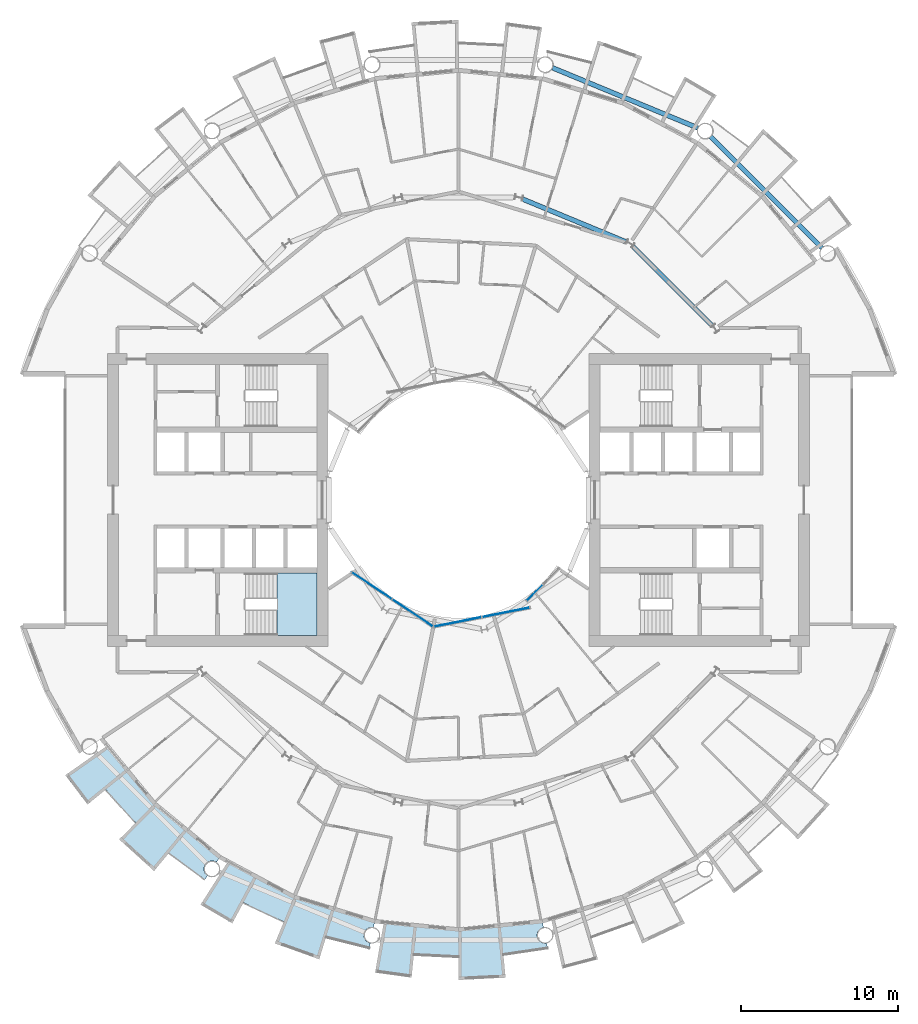
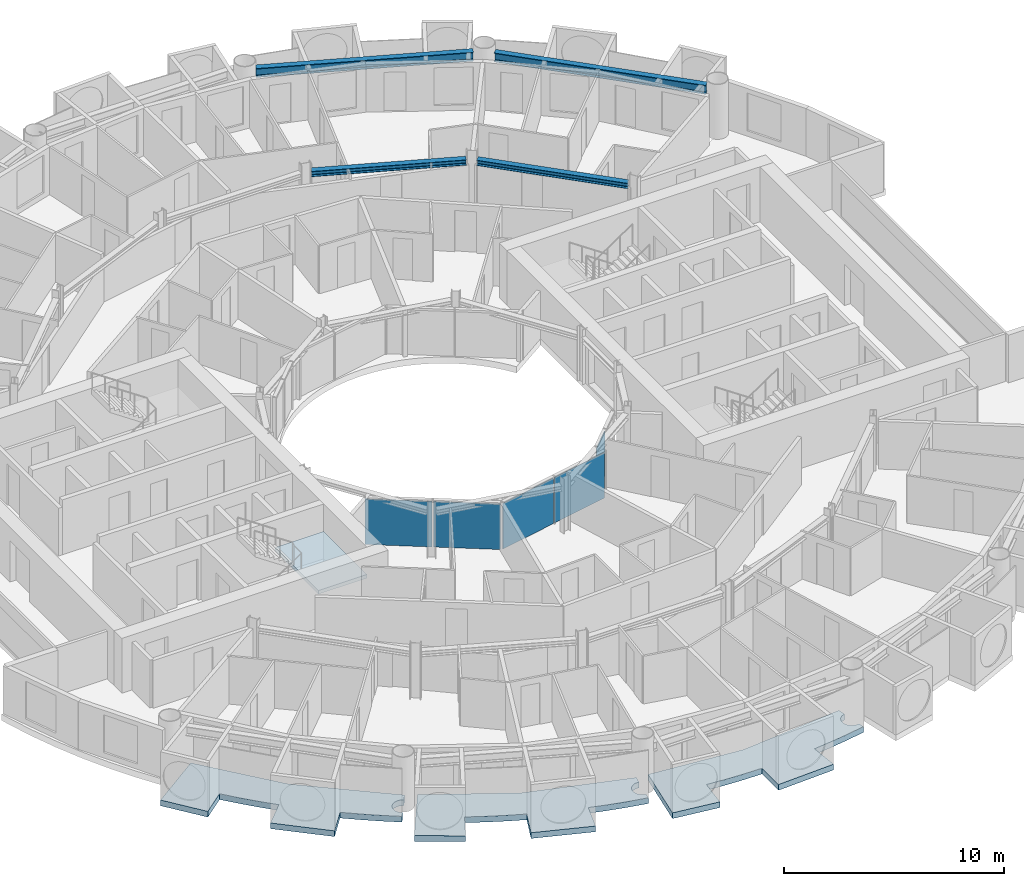
# One storey, part 9 of 25: 5 plates, 4 beams, 4 slabs, 4 elements without a shape of their own.
"""IFC4 building model written with IfcOpenShell, lengths in metres."""

import ifcopenshell
import ifcopenshell.guid

model = None  # the IFC model being written
_history = None  # IfcOwnerHistory: only IFC2X3 demands one
_inside = {}  # id of a spatial element -> (the spatial element, [elements in it])
_under = {}  # id of a project, library or spatial element -> (it, [spatial elements below it])
_declared = {}  # id of a project -> (the project, [libraries it declares])
_typed = {}  # id of a type object -> (the type object, [elements of that type])
_made_of = {}  # id of a material, layer set ... -> (it, [elements and type objects made of it])


def new_model(schema):
    """Start an empty IFC model of exactly this schema.

    Asked for "IFC4X3", IfcOpenShell would pick the latest addendum, in which some entities
    have other attributes; the version numbers below select the first issue.
    IFC2X3 requires an IfcOwnerHistory on every rooted entity: one is made here for all.
    """
    global model, _history
    if schema == "IFC4X3":
        model = ifcopenshell.file(schema_version=(4, 3, 0, 0))
    else:
        model = ifcopenshell.file(schema=schema)
    _inside.clear()
    _under.clear()
    _declared.clear()
    _typed.clear()
    _made_of.clear()
    _history = None
    if model.schema == "IFC2X3":
        org = make("IfcOrganization", Name="unknown")
        user = make(
            "IfcPersonAndOrganization",
            ThePerson=make("IfcPerson", FamilyName="unknown"),
            TheOrganization=org,
        )
        app = make(
            "IfcApplication",
            ApplicationDeveloper=org,
            Version="unknown",
            ApplicationFullName="unknown",
            ApplicationIdentifier="unknown",
        )
        _history = make(
            "IfcOwnerHistory",
            OwningUser=user,
            OwningApplication=app,
            ChangeAction="ADDED",
            CreationDate=0,
        )
    return model


def make(cls, **values):
    """One entity of the class cls with the attributes given. An attribute that is None is left unset."""
    return model.create_entity(
        cls, **{name: value for name, value in values.items() if value is not None}
    )


def rooted(cls, **values):
    """An entity with a GlobalId (a new one), such as an element, a storey or a relation."""
    return make(cls, GlobalId=ifcopenshell.guid.new(), OwnerHistory=_history, **values)


def si_unit(unit_type, name, prefix=None):
    """IfcSIUnit, for example si_unit("LENGTHUNIT", "METRE", prefix="MILLI")."""
    return make("IfcSIUnit", UnitType=unit_type, Prefix=prefix, Name=name)


def assignment(units):
    """IfcUnitAssignment: the units of a project."""
    return None if units is None else make("IfcUnitAssignment", Units=units)


def point(xyz):
    """IfcCartesianPoint."""
    return None if xyz is None else make("IfcCartesianPoint", Coordinates=xyz)


def direction(xyz):
    """IfcDirection."""
    return None if xyz is None else make("IfcDirection", DirectionRatios=xyz)


def frame(location, z_axis=None, x_axis=None):
    """IfcAxis2Placement3D, a coordinate frame: its origin and axes. An axis left out is left unset."""
    return make(
        "IfcAxis2Placement3D",
        Location=point(location),
        Axis=direction(z_axis),
        RefDirection=direction(x_axis),
    )


def frame_2d(location, x_axis=None):
    """IfcAxis2Placement2D, a coordinate frame in the plane: its origin and x axis."""
    return make(
        "IfcAxis2Placement2D", Location=point(location), RefDirection=direction(x_axis)
    )


def origin():
    """The frame at (0, 0, 0) with its axes left unset."""
    return frame((0.0, 0.0, 0.0))


def origin_2d():
    """The frame at (0, 0) in the plane with its x axis left unset."""
    return frame_2d((0.0, 0.0))


def place(relative_to, where):
    """IfcLocalPlacement: puts the frame where relative to a parent placement (None: the world)."""
    return make(
        "IfcLocalPlacement", PlacementRelTo=relative_to, RelativePlacement=where
    )


def context(
    kind, dimensions, precision=None, world=None, true_north=None, identifier=None
):
    """IfcGeometricRepresentationContext, for example the 3D "Model" context."""
    return make(
        "IfcGeometricRepresentationContext",
        ContextIdentifier=identifier,
        ContextType=kind,
        CoordinateSpaceDimension=dimensions,
        Precision=precision,
        WorldCoordinateSystem=world,
        TrueNorth=true_north,
    )


def subcontext(parent, identifier, kind, view, scale=None):
    """IfcGeometricRepresentationSubContext, for example "Body" below "Model"."""
    return make(
        "IfcGeometricRepresentationSubContext",
        ContextIdentifier=identifier,
        ContextType=kind,
        ParentContext=parent,
        TargetScale=scale,
        TargetView=view,
    )


def project(units=None, contexts=None):
    """IfcProject with its units and contexts."""
    return rooted(
        "IfcProject",
        Name="project",
        RepresentationContexts=contexts,
        UnitsInContext=assignment(units),
    )


def spatial(cls, under=None, at=None, **own):
    """A site, building, storey or space (cls), placed at a placement, below another one or the project."""
    s = rooted(cls, ObjectPlacement=at, **own)
    if under is not None:
        _under.setdefault(under.id(), (under, []))[1].append(s)
    return s


def polyline(points):
    """IfcPolyline through the points."""
    return make("IfcPolyline", Points=[point(p) for p in points])


def profile(cls, at=None, kind="AREA", **sizes):
    """A parametric profile (cls). Its sizes go by their IFC names, for example OverallWidth=200.0."""
    return make(cls, ProfileType=kind, Position=at, **sizes)


def rectangle(**sizes):
    """IfcRectangleProfileDef."""
    return profile("IfcRectangleProfileDef", **sizes)


def i_section(**sizes):
    """IfcIShapeProfileDef."""
    return profile("IfcIShapeProfileDef", **sizes)


def outline(outer, holes=None, kind="AREA"):
    """IfcArbitraryClosedProfileDef: a profile drawn as a closed curve; with holes, ...WithVoids."""
    if holes is None:
        return make("IfcArbitraryClosedProfileDef", ProfileType=kind, OuterCurve=outer)
    return make(
        "IfcArbitraryProfileDefWithVoids",
        ProfileType=kind,
        OuterCurve=outer,
        InnerCurves=holes,
    )


def extrude(swept, where, along, depth):
    """IfcExtrudedAreaSolid: the profile swept, set in the frame where, extruded along a direction by depth."""
    return make(
        "IfcExtrudedAreaSolid",
        SweptArea=swept,
        Position=where,
        ExtrudedDirection=direction(along),
        Depth=depth,
    )


def shape(context_of_items, identifier, shape_type, items):
    """IfcShapeRepresentation: the items that make up one representation, for example the "Body"."""
    return make(
        "IfcShapeRepresentation",
        ContextOfItems=context_of_items,
        RepresentationIdentifier=identifier,
        RepresentationType=shape_type,
        Items=items,
    )


def material(Name=None, Category=None):
    """IfcMaterial."""
    return make("IfcMaterial", Name=Name, Category=Category)


def layer(
    of_material, thickness, ventilated=None, Name=None, Category=None, Priority=None
):
    """IfcMaterialLayer: one layer of a wall or slab, of a material (None: an air gap)."""
    return make(
        "IfcMaterialLayer",
        Material=of_material,
        LayerThickness=thickness,
        IsVentilated=ventilated,
        Name=Name,
        Category=Category,
        Priority=Priority,
    )


def layer_set(layers, Name=None):
    """IfcMaterialLayerSet."""
    return make("IfcMaterialLayerSet", MaterialLayers=layers, LayerSetName=Name)


def material_profile(
    of_material, cross_section, Name=None, Category=None, Priority=None
):
    """IfcMaterialProfile: a cross section and its material."""
    return make(
        "IfcMaterialProfile",
        Name=Name,
        Material=of_material,
        Profile=cross_section,
        Priority=Priority,
        Category=Category,
    )


def profile_set(profiles, Name=None, composite=None):
    """IfcMaterialProfileSet."""
    return make(
        "IfcMaterialProfileSet",
        Name=Name,
        MaterialProfiles=profiles,
        CompositeProfile=composite,
    )


def made_of(thing, what):
    """Note that an element or type object is made of a material, layer set ...; save() writes the relation."""
    if what is not None:
        _made_of.setdefault(what.id(), (what, []))[1].append(thing)
    return thing


def type_object(cls, material=None, **own):
    """A type object (cls), such as IfcWallType, which elements share."""
    return made_of(rooted(cls, **own), material)


def element(
    cls,
    number,
    at=None,
    inside=None,
    cuts=None,
    type_object=None,
    material=None,
    context=None,
    identifier="Body",
    shape_type=None,
    held_by="IfcProductDefinitionShape",
    body=None,
    shapes=None,
    **own,
):
    """One element of the class cls, such as IfcWall. Its Tag is "e" and its number.

    at: its placement. inside: the storey or other place that contains it. cuts: it is an
    opening in that element (IfcRelVoidsElement). A single representation is given by context,
    identifier, shape_type and body (its items); several are given by shapes. held_by: the class
    of the entity that holds the representations. save() writes the other relations.
    """
    e = rooted(cls, Tag="e%d" % number, ObjectPlacement=at, **own)
    if body is not None:
        shapes = [shape(context, identifier, shape_type, body)]
    if shapes is not None:
        e.Representation = make(held_by, Representations=shapes)
    if inside is not None:
        _inside.setdefault(inside.id(), (inside, []))[1].append(e)
    if cuts is not None:
        rooted(
            "IfcRelVoidsElement", RelatingBuildingElement=cuts, RelatedOpeningElement=e
        )
    if type_object is not None:
        _typed.setdefault(type_object.id(), (type_object, []))[1].append(e)
    return made_of(e, material)


def aggregate(whole, parts):
    """IfcRelAggregates: a whole, such as a stair, and the parts it consists of."""
    return rooted("IfcRelAggregates", RelatingObject=whole, RelatedObjects=parts)


def save(model, path):
    """Write the relations noted so far, then the file.

    IfcRelAggregates (storeys below a building ...), IfcRelContainedInSpatialStructure (elements
    in a storey), IfcRelDefinesByType, IfcRelAssociatesMaterial and IfcRelDeclares: one each for
    every whole, place, type object, material and project.
    """
    for whole, parts in _under.values():
        aggregate(whole, parts)
    for where, things in _inside.values():
        rooted(
            "IfcRelContainedInSpatialStructure",
            RelatedElements=things,
            RelatingStructure=where,
        )
    for kind, things in _typed.values():
        rooted("IfcRelDefinesByType", RelatedObjects=things, RelatingType=kind)
    for what, things in _made_of.values():
        rooted("IfcRelAssociatesMaterial", RelatedObjects=things, RelatingMaterial=what)
    for by, libraries in _declared.values():
        rooted("IfcRelDeclares", RelatingContext=by, RelatedDefinitions=libraries)
    model.write(path)


model = new_model("IFC4")

# Units and contexts
model_context = context("Model", 3, precision=1e-05, world=origin(), true_north=direction((0.0, 1.0)))
body_context = subcontext(model_context, "Body", "Model", "MODEL_VIEW")
ifc_project = project(units=[si_unit("LENGTHUNIT", "METRE"), si_unit("AREAUNIT", "SQUARE_METRE"), si_unit("VOLUMEUNIT", "CUBIC_METRE"), si_unit("PLANEANGLEUNIT", "RADIAN"), si_unit("MASSUNIT", "GRAM", prefix="KILO")], contexts=[model_context])

# Site, building, storey
site_placement = place(None, origin())
site = spatial("IfcSite", under=ifc_project, at=site_placement, CompositionType="ELEMENT")
building_placement = place(site_placement, origin())
building = spatial("IfcBuilding", under=site, at=building_placement, Name="Maasbend Ring Residences", CompositionType="ELEMENT")
storey_placement = place(building_placement, frame((0.0, 0.0, 94.10009765625)))
storey = spatial("IfcBuildingStorey", under=building, at=storey_placement, Name="L27", CompositionType="ELEMENT", Elevation=94.10009765625)

# Beams
ifc_material_1 = material(Name="Steel S355J2", Category="steel")
ifc_material_profile_1 = material_profile(ifc_material_1, i_section(OverallWidth=0.300048828125, OverallDepth=0.300048828125, WebThickness=0.010986328125, FlangeThickness=0.01904296875, FilletRadius=0.027099609375, at=origin_2d()), Name="HEB 300")
ifc_profile_set_1 = profile_set([ifc_material_profile_1], Name="Steel S355J2")
beam_type_1 = type_object("IfcBeamType", Name="Corridor ring beam HEB 300", PredefinedType="BEAM", material=ifc_profile_set_1)
for number, where, z_axis, x_axis, name in (
    (1, (16.10791015625, 11.078125, 2.5), (-0.707106781187, 0.707106781187, 0.0), (-0.707106781187, -0.707106781187, 0.0), "Corridor ring beam"),
    (2, (10.642333984375, 16.39892578125, 2.5), (-0.923877113721, 0.382689271788, 0.0), (-0.382689271788, -0.923877113721, 0.0), "Corridor ring beam"),
):
    element("IfcBeam", number, at=place(storey_placement, frame(where, z_axis=z_axis, x_axis=x_axis)), inside=storey, type_object=beam_type_1, Name=name, PredefinedType="BEAM", context=body_context, shape_type="SweptSolid", body=[
        extrude(i_section(OverallWidth=0.300048828125, OverallDepth=0.300048828125, WebThickness=0.010986328125, FlangeThickness=0.01904296875, FilletRadius=0.027099609375, at=origin_2d()), origin(), (0.0, 0.0, 1.0), 7.11328125),
    ])
ifc_material_2 = material(Name="Steel S355J2", Category="steel")
ifc_material_profile_2 = material_profile(ifc_material_2, i_section(OverallWidth=0.300048828125, OverallDepth=0.5, WebThickness=0.014404296875, FlangeThickness=0.028076171875, FilletRadius=0.027099609375, at=origin_2d()), Name="HEB 500")
ifc_profile_set_2 = profile_set([ifc_material_profile_2], Name="Steel S355J2")
beam_type_2 = type_object("IfcBeamType", Name="Spandrel ring beam HEB 500", PredefinedType="SPANDREL", material=ifc_profile_set_2)
beam_1_placement = place(storey_placement, frame((23.088134765625, 16.0263671875, 2.39990234375), z_axis=(-0.707106781187, 0.707106781187, 0.0), x_axis=(-0.707106781187, -0.707106781187, 0.0)))
element("IfcBeam", 3, at=beam_1_placement, inside=storey, type_object=beam_type_2, Name="Spandrel ring beam", PredefinedType="SPANDREL", context=body_context, shape_type="SweptSolid", body=[
    extrude(i_section(OverallWidth=0.300048828125, OverallDepth=0.5, WebThickness=0.014404296875, FlangeThickness=0.028076171875, FilletRadius=0.027099609375, at=origin_2d()), origin(), (0.0, 0.0, 1.0), 9.98681640625),
])
beam_2_placement = place(storey_placement, frame((15.19775390625, 23.641845703125, 2.39990234375), z_axis=(-0.923886337442, 0.382667003395, 0.0), x_axis=(-0.382667003395, -0.923886337442, 0.0)))
element("IfcBeam", 4, at=beam_2_placement, inside=storey, type_object=beam_type_2, Name="Spandrel ring beam", PredefinedType="SPANDREL", context=body_context, shape_type="SweptSolid", body=[
    extrude(i_section(OverallWidth=0.300048828125, OverallDepth=0.5, WebThickness=0.014404296875, FlangeThickness=0.028076171875, FilletRadius=0.027099609375, at=origin_2d()), origin(), (0.0, 0.0, 1.0), 9.9873046875),
])

# Stair, slab
ifc_material_3 = material(Name="Concrete C40/50", Category="concrete")
stair_type = type_object("IfcStairType", Name="CORE STAIR 18 RISERS", PredefinedType="HALF_TURN_STAIR", material=ifc_material_3)
stair_placement = place(storey_placement, origin())
stair = element("IfcStair", 5, at=stair_placement, inside=storey, type_object=stair_type, Name="L27 Exit stair ST-W1", PredefinedType="HALF_TURN_STAIR")
ifc_material_4 = material(Name="Concrete C40/50", Category="concrete")
ifc_layer_1 = layer(ifc_material_4, 0.199951171875)
ifc_layer_set_1 = layer_set([ifc_layer_1], Name="Concrete C40/50")
slab_type_1 = type_object("IfcSlabType", Name="CORE STAIR LANDING 200", PredefinedType="LANDING", material=ifc_layer_set_1)
slab_1_placement = place(storey_placement, frame((0.0, 0.0, 1.324951171875)))
slab_1 = element("IfcSlab", 6, at=slab_1_placement, type_object=slab_type_1, Name="ST-W1 landing 1", PredefinedType="LANDING", context=body_context, shape_type="SweptSolid", body=[
    extrude(outline(polyline([(-11.550048828125, -8.60009765625), (-9.0, -8.60009765625), (-9.0, -4.64990234375), (-11.550048828125, -4.64990234375), (-11.550048828125, -8.60009765625)])), origin(), (0.0, 0.0, 1.0), 0.199951171875),
])
aggregate(stair, [slab_1])

# Curtain wall, plates
ifc_material_5 = material(Name="Aluminium and clear glass", Category="aluminium")
ifc_layer_2 = layer(ifc_material_5, 0.179931640625)
ifc_layer_set_2 = layer_set([ifc_layer_2], Name="CW-W")
curtain_wall_type = type_object("IfcCurtainWallType", Name="CW-W", PredefinedType="NOTDEFINED", material=ifc_layer_set_2)
curtain_wall_1_placement = place(storey_placement, origin())
curtain_wall_1 = element("IfcCurtainWall", 7, at=curtain_wall_1_placement, inside=storey, type_object=curtain_wall_type, Name="Well curtain wall S1", PredefinedType="NOTDEFINED")
ifc_material_6 = material(Name="Glass clear laminated", Category="glass")
ifc_layer_3 = layer(ifc_material_6, 0.031982421875)
ifc_layer_set_3 = layer_set([ifc_layer_3], Name="CWP-W")
plate_type = type_object("IfcPlateType", Name="CWP-W", PredefinedType="CURTAIN_PANEL", material=ifc_layer_set_3)
plate_1_placement = place(storey_placement, frame((-5.51123046875, -5.44580078125, 0.0), z_axis=(0.0, 0.0, 1.0), x_axis=(0.831469612303, -0.55557023302, 0.0)))
plate_1 = element("IfcPlate", 8, at=plate_1_placement, type_object=plate_type, Name="Glass panel well face", PredefinedType="CURTAIN_PANEL", context=body_context, shape_type="SweptSolid", body=[
    extrude(rectangle(XDim=3.053955078125, YDim=0.031982421875, at=origin_2d()), origin(), (0.0, 0.0, 1.0), 2.530029296875),
])
plate_2_placement = place(storey_placement, frame((-2.922119140625, -7.17578125, 0.0), z_axis=(0.0, 0.0, 1.0), x_axis=(0.831469612303, -0.55557023302, 0.0)))
plate_2 = element("IfcPlate", 9, at=plate_2_placement, type_object=plate_type, Name="Glass panel well face", PredefinedType="CURTAIN_PANEL", context=body_context, shape_type="SweptSolid", body=[
    extrude(rectangle(XDim=3.053955078125, YDim=0.031982421875, at=origin_2d()), origin(), (0.0, 0.0, 1.0), 2.530029296875),
])
aggregate(curtain_wall_1, [plate_1, plate_2])

curtain_wall_2_placement = place(storey_placement, origin())
curtain_wall_2 = element("IfcCurtainWall", 10, at=curtain_wall_2_placement, inside=storey, type_object=curtain_wall_type, Name="Well curtain wall S2", PredefinedType="NOTDEFINED")
plate_3_placement = place(storey_placement, frame((-0.04638671875, -7.747802734375, 0.0), z_axis=(0.0, 0.0, 1.0), x_axis=(0.980785280403, 0.195090322016, 0.0)))
plate_3 = element("IfcPlate", 11, at=plate_3_placement, type_object=plate_type, Name="Glass panel well face", PredefinedType="CURTAIN_PANEL", context=body_context, shape_type="SweptSolid", body=[
    extrude(rectangle(XDim=3.053955078125, YDim=0.031982421875, at=origin_2d()), origin(), (0.0, 0.0, 1.0), 2.530029296875),
])
plate_4_placement = place(storey_placement, frame((3.0078125, -7.140380859375, 0.0), z_axis=(0.0, 0.0, 1.0), x_axis=(0.980785280403, 0.195090322016, 0.0)))
plate_4 = element("IfcPlate", 12, at=plate_4_placement, type_object=plate_type, Name="Glass panel well face", PredefinedType="CURTAIN_PANEL", context=body_context, shape_type="SweptSolid", body=[
    extrude(rectangle(XDim=3.053955078125, YDim=0.031982421875, at=origin_2d()), origin(), (0.0, 0.0, 1.0), 2.530029296875),
])
aggregate(curtain_wall_2, [plate_3, plate_4])

# Curtain wall, plate
curtain_wall_3_placement = place(storey_placement, origin())
curtain_wall_3 = element("IfcCurtainWall", 13, at=curtain_wall_3_placement, inside=storey, type_object=curtain_wall_type, Name="Well curtain wall S3", PredefinedType="NOTDEFINED")
plate_5_placement = place(storey_placement, frame((4.84375, -5.89013671875, 0.0), z_axis=(0.0, 0.0, 1.0), x_axis=(0.707106781187, 0.707106781187, 0.0)))
plate_5 = element("IfcPlate", 14, at=plate_5_placement, type_object=plate_type, Name="Glass panel well face", PredefinedType="CURTAIN_PANEL", context=body_context, shape_type="SweptSolid", body=[
    extrude(rectangle(XDim=1.419677734375, YDim=0.031982421875, at=origin_2d()), origin(), (0.0, 0.0, 1.0), 2.530029296875),
])
aggregate(curtain_wall_3, [plate_5])

# Slabs
ifc_material_7 = material(Name="Concrete C40/50", Category="concrete")
ifc_layer_4 = layer(ifc_material_7, 0.199951171875)
ifc_layer_set_4 = layer_set([ifc_layer_4], Name="Concrete C40/50")
slab_type_2 = type_object("IfcSlabType", Name="SL-LOGGIA", PredefinedType="FLOOR", material=ifc_layer_set_4)
slab_2_placement = place(storey_placement, frame((0.0, 0.0, -0.35009765625)))
element("IfcSlab", 15, at=slab_2_placement, inside=storey, type_object=slab_type_2, Name="Loggia floor 2", PredefinedType="FLOOR", context=body_context, shape_type="SweptSolid", body=[
    extrude(outline(polyline([(-12.806884765625, -23.9609375), (-10.447021484375, -25.221923828125), (-10.447021484375, -25.221923828125), (-10.447021484375, -25.221923828125), (-7.886962890625, -25.9990234375), (-5.325927734375, -26.77490234375), (-5.325927734375, -26.77490234375), (-5.325927734375, -26.77490234375), (-5.402099609375, -27.159912109375), (-5.4150390625, -27.157958984375), (-5.427001953125, -27.156005859375), (-5.43896484375, -27.154052734375), (-5.451904296875, -27.153076171875), (-5.464111328125, -27.15087890625), (-5.47705078125, -27.15087890625), (-5.489013671875, -27.14990234375), (-5.501953125, -27.14990234375), (-5.513916015625, -27.14990234375), (-5.52587890625, -27.15087890625), (-5.5390625, -27.15087890625), (-5.551025390625, -27.153076171875), (-5.56396484375, -27.154052734375), (-5.575927734375, -27.156005859375), (-5.587890625, -27.157958984375), (-5.60107421875, -27.159912109375), (-5.613037109375, -27.162109375), (-5.625, -27.1650390625), (-5.636962890625, -27.1689453125), (-5.64892578125, -27.172119140625), (-5.660888671875, -27.176025390625), (-5.673095703125, -27.179931640625), (-5.68408203125, -27.18408203125), (-5.696044921875, -27.18896484375), (-5.70703125, -27.194091796875), (-5.718994140625, -27.198974609375), (-5.72998046875, -27.2041015625), (-5.740966796875, -27.2099609375), (-5.751953125, -27.216064453125), (-5.762939453125, -27.221923828125), (-5.77294921875, -27.22900390625), (-5.783935546875, -27.236083984375), (-5.7939453125, -27.242919921875), (-5.803955078125, -27.25), (-5.81396484375, -27.258056640625), (-5.823974609375, -27.264892578125), (-5.8330078125, -27.27294921875), (-5.843017578125, -27.281982421875), (-5.85205078125, -27.2900390625), (-5.861083984375, -27.299072265625), (-5.868896484375, -27.30810546875), (-5.8779296875, -27.31689453125), (-5.885986328125, -27.325927734375), (-5.89404296875, -27.3359375), (-5.902099609375, -27.345947265625), (-5.909912109375, -27.35498046875), (-5.9169921875, -27.365966796875), (-5.924072265625, -27.3759765625), (-5.930908203125, -27.385986328125), (-5.93701171875, -27.39697265625), (-5.944091796875, -27.407958984375), (-5.949951171875, -27.4189453125), (-5.955078125, -27.429931640625), (-5.9609375, -27.44091796875), (-5.966064453125, -27.451904296875), (-5.970947265625, -27.464111328125), (-5.97509765625, -27.47509765625), (-5.97998046875, -27.487060546875), (-5.98388671875, -27.4990234375), (-5.988037109375, -27.510986328125), (-5.990966796875, -27.52294921875), (-5.993896484375, -27.534912109375), (-5.9970703125, -27.547119140625), (-6.0, -27.55908203125), (-6.001953125, -27.571044921875), (-6.00390625, -27.583984375), (-6.006103515625, -27.595947265625), (-6.007080078125, -27.60791015625), (-6.008056640625, -27.62109375), (-6.009033203125, -27.633056640625), (-6.009033203125, -27.64599609375), (-6.010009765625, -27.657958984375), (-6.009033203125, -27.6708984375), (-6.009033203125, -27.68310546875), (-6.008056640625, -27.695068359375), (-6.007080078125, -27.7080078125), (-6.006103515625, -27.719970703125), (-6.00390625, -27.73291015625), (-6.001953125, -27.7451171875), (-6.0, -27.757080078125), (-5.9970703125, -27.76904296875), (-5.993896484375, -27.781982421875), (-5.990966796875, -27.7939453125), (-5.988037109375, -27.805908203125), (-5.98388671875, -27.81689453125), (-5.97998046875, -27.8291015625), (-5.97509765625, -27.841064453125), (-5.970947265625, -27.85302734375), (-5.966064453125, -27.864013671875), (-5.9609375, -27.875), (-5.955078125, -27.886962890625), (-5.949951171875, -27.89794921875), (-5.944091796875, -27.907958984375), (-5.93701171875, -27.9189453125), (-5.930908203125, -27.929931640625), (-5.924072265625, -27.93994140625), (-5.9169921875, -27.950927734375), (-5.909912109375, -27.9609375), (-5.902099609375, -27.970947265625), (-5.89404296875, -27.97998046875), (-5.885986328125, -27.989990234375), (-5.8779296875, -27.9990234375), (-5.868896484375, -28.008056640625), (-5.861083984375, -28.01708984375), (-5.85205078125, -28.02587890625), (-5.843017578125, -28.034912109375), (-5.8330078125, -28.04296875), (-5.823974609375, -28.051025390625), (-5.81396484375, -28.05908203125), (-5.803955078125, -28.06591796875), (-5.7939453125, -28.072998046875), (-5.783935546875, -28.080078125), (-5.77294921875, -28.0869140625), (-5.762939453125, -28.093994140625), (-5.751953125, -28.10009765625), (-5.740966796875, -28.10595703125), (-5.72998046875, -28.112060546875), (-5.718994140625, -28.116943359375), (-5.70703125, -28.123046875), (-5.696044921875, -28.126953125), (-5.68408203125, -28.132080078125), (-5.673095703125, -28.135986328125), (-5.660888671875, -28.139892578125), (-5.64892578125, -28.14404296875), (-5.636962890625, -28.14794921875), (-5.625, -28.15087890625), (-5.613037109375, -28.154052734375), (-5.60107421875, -28.156005859375), (-5.657958984375, -28.443115234375), (-5.657958984375, -28.443115234375), (-5.657958984375, -28.443115234375), (-6.5849609375, -28.241943359375), (-6.5849609375, -28.241943359375), (-7.506103515625, -28.011962890625), (-7.506103515625, -28.011962890625), (-8.41796875, -27.7509765625), (-8.41796875, -27.7509765625), (-8.41796875, -27.7509765625), (-8.41796875, -27.7509765625), (-8.41796875, -27.7509765625), (-8.41796875, -27.7509765625), (-8.41796875, -27.7509765625), (-8.41796875, -27.7509765625), (-8.41796875, -27.7509765625), (-8.41796875, -27.7509765625), (-8.41796875, -27.751953125), (-8.41796875, -27.751953125), (-8.41796875, -27.751953125), (-8.41796875, -27.751953125), (-8.41796875, -27.751953125), (-8.41796875, -27.751953125), (-8.41796875, -27.751953125), (-8.85400390625, -29.18701171875), (-8.85400390625, -29.18701171875), (-8.85400390625, -29.18701171875), (-11.672119140625, -28.177978515625), (-11.672119140625, -28.177978515625), (-11.672119140625, -28.177978515625), (-11.097900390625, -26.79296875), (-11.097900390625, -26.79296875), (-11.097900390625, -26.79296875), (-11.097900390625, -26.79296875), (-11.097900390625, -26.79296875), (-11.097900390625, -26.79296875), (-11.097900390625, -26.79296875), (-11.097900390625, -26.79296875), (-11.097900390625, -26.79296875), (-11.097900390625, -26.79296875), (-11.097900390625, -26.7919921875), (-11.097900390625, -26.7919921875), (-11.097900390625, -26.7919921875), (-11.097900390625, -26.7919921875), (-11.097900390625, -26.7919921875), (-11.097900390625, -26.7919921875), (-11.097900390625, -26.7919921875), (-11.968994140625, -26.4150390625), (-11.968994140625, -26.4150390625), (-12.825927734375, -26.009033203125), (-12.825927734375, -26.009033203125), (-13.669921875, -25.575927734375), (-13.669921875, -25.575927734375), (-13.669921875, -25.575927734375), (-13.669921875, -25.575927734375), (-13.669921875, -25.575927734375), (-13.669921875, -25.575927734375), (-13.669921875, -25.575927734375), (-13.669921875, -25.575927734375), (-13.669921875, -25.575927734375), (-13.669921875, -25.575927734375), (-13.6708984375, -25.575927734375), (-13.6708984375, -25.575927734375), (-13.6708984375, -25.575927734375), (-13.6708984375, -25.575927734375), (-13.6708984375, -25.575927734375), (-13.6708984375, -25.575927734375), (-13.6708984375, -25.575927734375), (-14.3779296875, -26.89892578125), (-14.3779296875, -26.89892578125), (-14.3779296875, -26.89892578125), (-16.39404296875, -25.718994140625), (-16.39404296875, -25.718994140625), (-16.39404296875, -25.718994140625), (-14.64599609375, -22.97705078125), (-14.64599609375, -22.97705078125), (-14.64599609375, -22.97705078125), (-12.806884765625, -23.9609375)])), origin(), (0.0, 0.0, 1.0), 0.320068359375),
])
slab_3_placement = place(storey_placement, frame((0.0, 0.0, -0.35009765625)))
element("IfcSlab", 16, at=slab_3_placement, inside=storey, type_object=slab_type_2, Name="Loggia floor 3", PredefinedType="FLOOR", context=body_context, shape_type="SweptSolid", body=[
    extrude(outline(polyline([(-2.6630859375, -27.0380859375), (0.0, -27.300048828125), (0.0, -27.300048828125), (0.0, -27.300048828125), (2.6630859375, -27.0380859375), (5.325927734375, -26.77490234375), (5.325927734375, -26.77490234375), (5.325927734375, -26.77490234375), (5.402099609375, -27.159912109375), (5.402099609375, -27.159912109375), (5.389892578125, -27.162109375), (5.3779296875, -27.1650390625), (5.365966796875, -27.1689453125), (5.35400390625, -27.172119140625), (5.342041015625, -27.176025390625), (5.330078125, -27.179931640625), (5.319091796875, -27.18408203125), (5.306884765625, -27.18896484375), (5.2958984375, -27.194091796875), (5.283935546875, -27.198974609375), (5.27294921875, -27.2041015625), (5.261962890625, -27.2099609375), (5.2509765625, -27.216064453125), (5.239990234375, -27.221923828125), (5.22998046875, -27.22900390625), (5.218994140625, -27.236083984375), (5.208984375, -27.242919921875), (5.198974609375, -27.25), (5.18896484375, -27.258056640625), (5.178955078125, -27.264892578125), (5.169921875, -27.27294921875), (5.159912109375, -27.281982421875), (5.15087890625, -27.2900390625), (5.14208984375, -27.299072265625), (5.134033203125, -27.30810546875), (5.125, -27.31689453125), (5.116943359375, -27.325927734375), (5.10888671875, -27.3359375), (5.10107421875, -27.345947265625), (5.093017578125, -27.35498046875), (5.0859375, -27.365966796875), (5.0791015625, -27.3759765625), (5.072021484375, -27.385986328125), (5.06591796875, -27.39697265625), (5.05908203125, -27.407958984375), (5.052978515625, -27.4189453125), (5.048095703125, -27.429931640625), (5.0419921875, -27.44091796875), (5.037109375, -27.451904296875), (5.031982421875, -27.464111328125), (5.028076171875, -27.47509765625), (5.02294921875, -27.487060546875), (5.01904296875, -27.4990234375), (5.014892578125, -27.510986328125), (5.011962890625, -27.52294921875), (5.009033203125, -27.534912109375), (5.006103515625, -27.547119140625), (5.0029296875, -27.55908203125), (5.0009765625, -27.571044921875), (4.9990234375, -27.583984375), (4.9970703125, -27.595947265625), (4.99609375, -27.60791015625), (4.9951171875, -27.62109375), (4.993896484375, -27.633056640625), (4.993896484375, -27.64599609375), (4.993896484375, -27.657958984375), (4.993896484375, -27.6708984375), (4.993896484375, -27.68310546875), (4.9951171875, -27.695068359375), (4.99609375, -27.7080078125), (4.9970703125, -27.719970703125), (4.9990234375, -27.73291015625), (5.0009765625, -27.7451171875), (5.0029296875, -27.757080078125), (5.006103515625, -27.76904296875), (5.009033203125, -27.781982421875), (5.011962890625, -27.7939453125), (5.014892578125, -27.805908203125), (5.01904296875, -27.81689453125), (5.02294921875, -27.8291015625), (5.028076171875, -27.841064453125), (5.031982421875, -27.85302734375), (5.037109375, -27.864013671875), (5.0419921875, -27.875), (5.048095703125, -27.886962890625), (5.052978515625, -27.89794921875), (5.05908203125, -27.907958984375), (5.06591796875, -27.9189453125), (5.072021484375, -27.929931640625), (5.0791015625, -27.93994140625), (5.0859375, -27.950927734375), (5.093017578125, -27.9609375), (5.10107421875, -27.970947265625), (5.10888671875, -27.97998046875), (5.116943359375, -27.989990234375), (5.125, -27.9990234375), (5.134033203125, -28.008056640625), (5.14208984375, -28.01708984375), (5.15087890625, -28.02587890625), (5.159912109375, -28.034912109375), (5.169921875, -28.04296875), (5.178955078125, -28.051025390625), (5.18896484375, -28.05908203125), (5.198974609375, -28.06591796875), (5.208984375, -28.072998046875), (5.218994140625, -28.080078125), (5.22998046875, -28.0869140625), (5.239990234375, -28.093994140625), (5.2509765625, -28.10009765625), (5.261962890625, -28.10595703125), (5.27294921875, -28.112060546875), (5.283935546875, -28.116943359375), (5.2958984375, -28.123046875), (5.306884765625, -28.126953125), (5.319091796875, -28.132080078125), (5.330078125, -28.135986328125), (5.342041015625, -28.139892578125), (5.35400390625, -28.14404296875), (5.365966796875, -28.14794921875), (5.3779296875, -28.15087890625), (5.389892578125, -28.154052734375), (5.402099609375, -28.156005859375), (5.4150390625, -28.158935546875), (5.427001953125, -28.160888671875), (5.43896484375, -28.162109375), (5.451904296875, -28.1640625), (5.464111328125, -28.1650390625), (5.47705078125, -28.1650390625), (5.489013671875, -28.166015625), (5.501953125, -28.166015625), (5.513916015625, -28.166015625), (5.52587890625, -28.1650390625), (5.5390625, -28.1650390625), (5.551025390625, -28.1640625), (5.56396484375, -28.162109375), (5.575927734375, -28.160888671875), (5.587890625, -28.158935546875), (5.60107421875, -28.156005859375), (5.60107421875, -28.156005859375), (5.657958984375, -28.443115234375), (5.657958984375, -28.443115234375), (5.657958984375, -28.443115234375), (4.72412109375, -28.613037109375), (4.72412109375, -28.613037109375), (3.784912109375, -28.751953125), (3.784912109375, -28.751953125), (2.843017578125, -28.860107421875), (2.843017578125, -28.860107421875), (2.843017578125, -28.860107421875), (2.843017578125, -28.860107421875), (2.843017578125, -28.860107421875), (2.843017578125, -28.860107421875), (2.843017578125, -28.860107421875), (2.843017578125, -28.860107421875), (2.843017578125, -28.860107421875), (2.843017578125, -28.861083984375), (2.843017578125, -28.861083984375), (2.843017578125, -28.861083984375), (2.843017578125, -28.861083984375), (2.843017578125, -28.861083984375), (2.843017578125, -28.861083984375), (2.843017578125, -28.861083984375), (2.843017578125, -28.861083984375), (2.989990234375, -30.35302734375), (2.989990234375, -30.35302734375), (2.989990234375, -30.35302734375), (0.0, -30.5), (0.0, -30.5), (0.0, -30.5), (0.0, -29.0), (0.0, -29.0), (0.0, -29.0), (0.0, -29.0), (0.0, -29.0), (0.0, -29.0), (0.0, -29.0), (0.0, -29.0), (0.0, -29.0), (0.0, -29.0), (0.0, -29.0), (0.0, -29.0), (0.0, -29.0), (0.0, -29.0), (0.0, -29.0), (0.0, -29.0), (0.0, -29.0), (-0.948974609375, -28.98388671875), (-0.948974609375, -28.98388671875), (-1.89697265625, -28.93798828125), (-1.89697265625, -28.93798828125), (-2.842041015625, -28.860107421875), (-2.842041015625, -28.860107421875), (-2.842041015625, -28.860107421875), (-2.842041015625, -28.860107421875), (-2.842041015625, -28.860107421875), (-2.842041015625, -28.860107421875), (-2.842041015625, -28.860107421875), (-2.842041015625, -28.860107421875), (-2.842041015625, -28.861083984375), (-2.842041015625, -28.861083984375), (-2.842041015625, -28.861083984375), (-2.842041015625, -28.861083984375), (-2.842041015625, -28.861083984375), (-2.843017578125, -28.861083984375), (-2.843017578125, -28.861083984375), (-2.843017578125, -28.861083984375), (-2.843017578125, -28.861083984375), (-2.989990234375, -30.35302734375), (-2.989990234375, -30.35302734375), (-2.989990234375, -30.35302734375), (-5.303955078125, -30.034912109375), (-5.303955078125, -30.034912109375), (-5.303955078125, -30.034912109375), (-4.739013671875, -26.8330078125), (-4.739013671875, -26.8330078125), (-4.739013671875, -26.8330078125), (-2.6630859375, -27.0380859375)])), origin(), (0.0, 0.0, 1.0), 0.320068359375),
])
slab_4_placement = place(storey_placement, frame((0.0, 0.0, -0.35009765625)))
element("IfcSlab", 17, at=slab_4_placement, inside=storey, type_object=slab_type_2, Name="Loggia floor 5", PredefinedType="FLOOR", context=body_context, shape_type="SweptSolid", body=[
    extrude(outline(polyline([(-21.001953125, -17.236083984375), (-19.303955078125, -19.303955078125), (-19.303955078125, -19.303955078125), (-19.303955078125, -19.303955078125), (-17.236083984375, -21.001953125), (-15.1669921875, -22.698974609375), (-15.1669921875, -22.698974609375), (-15.1669921875, -22.698974609375), (-15.385009765625, -23.02490234375), (-15.385009765625, -23.02490234375), (-15.39501953125, -23.01806640625), (-15.406005859375, -23.011962890625), (-15.4169921875, -23.0048828125), (-15.427978515625, -22.9990234375), (-15.43896484375, -22.993896484375), (-15.449951171875, -22.988037109375), (-15.4609375, -22.98291015625), (-15.472900390625, -22.97802734375), (-15.48388671875, -22.972900390625), (-15.49609375, -22.968994140625), (-15.508056640625, -22.965087890625), (-15.52001953125, -22.9609375), (-15.531982421875, -22.9580078125), (-15.5439453125, -22.955078125), (-15.555908203125, -22.951904296875), (-15.568115234375, -22.948974609375), (-15.580078125, -22.947021484375), (-15.593017578125, -22.945068359375), (-15.60498046875, -22.943115234375), (-15.616943359375, -22.94189453125), (-15.6298828125, -22.94091796875), (-15.64208984375, -22.93994140625), (-15.655029296875, -22.93994140625), (-15.6669921875, -22.93896484375), (-15.679931640625, -22.93994140625), (-15.69189453125, -22.93994140625), (-15.7041015625, -22.94091796875), (-15.717041015625, -22.94189453125), (-15.72900390625, -22.943115234375), (-15.741943359375, -22.945068359375), (-15.75390625, -22.947021484375), (-15.76611328125, -22.948974609375), (-15.778076171875, -22.951904296875), (-15.791015625, -22.955078125), (-15.802978515625, -22.9580078125), (-15.81494140625, -22.9609375), (-15.825927734375, -22.965087890625), (-15.837890625, -22.968994140625), (-15.85009765625, -22.972900390625), (-15.862060546875, -22.97802734375), (-15.873046875, -22.98291015625), (-15.884033203125, -22.988037109375), (-15.89599609375, -22.993896484375), (-15.906982421875, -22.9990234375), (-15.9169921875, -23.0048828125), (-15.927978515625, -23.011962890625), (-15.93896484375, -23.01806640625), (-15.948974609375, -23.02490234375), (-15.9599609375, -23.031982421875), (-15.969970703125, -23.0390625), (-15.97998046875, -23.047119140625), (-15.989013671875, -23.054931640625), (-15.9990234375, -23.06298828125), (-16.008056640625, -23.071044921875), (-16.01708984375, -23.0791015625), (-16.02587890625, -23.087890625), (-16.034912109375, -23.096923828125), (-16.0439453125, -23.10595703125), (-16.052001953125, -23.115966796875), (-16.06005859375, -23.125), (-16.068115234375, -23.135009765625), (-16.074951171875, -23.14501953125), (-16.08203125, -23.155029296875), (-16.089111328125, -23.1650390625), (-16.095947265625, -23.176025390625), (-16.10302734375, -23.18603515625), (-16.10888671875, -23.197021484375), (-16.114990234375, -23.2080078125), (-16.12109375, -23.218994140625), (-16.1259765625, -23.22998046875), (-16.132080078125, -23.241943359375), (-16.135986328125, -23.2529296875), (-16.14111328125, -23.264892578125), (-16.14501953125, -23.27587890625), (-16.14892578125, -23.2880859375), (-16.153076171875, -23.300048828125), (-16.156982421875, -23.31201171875), (-16.159912109375, -23.323974609375), (-16.1630859375, -23.3359375), (-16.1650390625, -23.347900390625), (-16.16796875, -23.361083984375), (-16.169921875, -23.373046875), (-16.1708984375, -23.385009765625), (-16.173095703125, -23.39794921875), (-16.174072265625, -23.409912109375), (-16.174072265625, -23.422119140625), (-16.175048828125, -23.43505859375), (-16.175048828125, -23.447021484375), (-16.175048828125, -23.4599609375), (-16.174072265625, -23.471923828125), (-16.174072265625, -23.485107421875), (-16.173095703125, -23.4970703125), (-16.1708984375, -23.510009765625), (-16.169921875, -23.52197265625), (-16.16796875, -23.533935546875), (-16.1650390625, -23.547119140625), (-16.1630859375, -23.55908203125), (-16.159912109375, -23.571044921875), (-16.156982421875, -23.5830078125), (-16.153076171875, -23.594970703125), (-16.14892578125, -23.60693359375), (-16.14501953125, -23.618896484375), (-16.14111328125, -23.6298828125), (-16.135986328125, -23.64208984375), (-16.132080078125, -23.653076171875), (-16.1259765625, -23.6650390625), (-16.12109375, -23.676025390625), (-16.114990234375, -23.68701171875), (-16.10888671875, -23.697998046875), (-16.10302734375, -23.708984375), (-16.095947265625, -23.718994140625), (-16.089111328125, -23.72998046875), (-16.08203125, -23.739990234375), (-16.074951171875, -23.75), (-16.068115234375, -23.760009765625), (-16.06005859375, -23.77001953125), (-16.052001953125, -23.779052734375), (-16.0439453125, -23.7890625), (-16.034912109375, -23.798095703125), (-16.02587890625, -23.806884765625), (-16.01708984375, -23.81494140625), (-16.008056640625, -23.823974609375), (-15.9990234375, -23.83203125), (-15.989013671875, -23.840087890625), (-15.97998046875, -23.847900390625), (-15.969970703125, -23.85498046875), (-15.9599609375, -23.863037109375), (-15.948974609375, -23.8701171875), (-15.948974609375, -23.8701171875), (-16.112060546875, -24.113037109375), (-16.112060546875, -24.113037109375), (-16.112060546875, -24.113037109375), (-16.89208984375, -23.572998046875), (-16.89208984375, -23.572998046875), (-17.654052734375, -23.007080078125), (-17.654052734375, -23.007080078125), (-18.39697265625, -22.41796875), (-18.39697265625, -22.41796875), (-18.39697265625, -22.41796875), (-18.39697265625, -22.41796875), (-18.39697265625, -22.41796875), (-18.39697265625, -22.41796875), (-18.39697265625, -22.41796875), (-18.39697265625, -22.41796875), (-18.39697265625, -22.41796875), (-18.39697265625, -22.41796875), (-18.39697265625, -22.41796875), (-18.39794921875, -22.41796875), (-18.39794921875, -22.41796875), (-18.39794921875, -22.41796875), (-18.39794921875, -22.41796875), (-18.39794921875, -22.41796875), (-18.39794921875, -22.41796875), (-19.34912109375, -23.576904296875), (-19.34912109375, -23.576904296875), (-19.34912109375, -23.576904296875), (-21.56689453125, -21.56689453125), (-21.56689453125, -21.56689453125), (-21.56689453125, -21.56689453125), (-20.506103515625, -20.506103515625), (-20.506103515625, -20.506103515625), (-20.506103515625, -20.506103515625), (-20.506103515625, -20.506103515625), (-20.506103515625, -20.506103515625), (-20.506103515625, -20.506103515625), (-20.506103515625, -20.506103515625), (-20.506103515625, -20.506103515625), (-20.506103515625, -20.506103515625), (-20.506103515625, -20.506103515625), (-20.506103515625, -20.506103515625), (-20.506103515625, -20.506103515625), (-20.506103515625, -20.506103515625), (-20.506103515625, -20.506103515625), (-20.506103515625, -20.506103515625), (-20.506103515625, -20.506103515625), (-20.506103515625, -20.506103515625), (-21.166015625, -19.823974609375), (-21.166015625, -19.823974609375), (-21.802978515625, -19.12109375), (-21.802978515625, -19.12109375), (-22.4169921875, -18.39794921875), (-22.4169921875, -18.39794921875), (-22.4169921875, -18.39794921875), (-22.4169921875, -18.39794921875), (-22.4169921875, -18.39794921875), (-22.4169921875, -18.39794921875), (-22.4169921875, -18.39794921875), (-22.4169921875, -18.39794921875), (-22.4169921875, -18.39794921875), (-22.4169921875, -18.39794921875), (-22.4169921875, -18.39794921875), (-22.4169921875, -18.39794921875), (-22.41796875, -18.39794921875), (-22.41796875, -18.39794921875), (-22.41796875, -18.39794921875), (-22.41796875, -18.39794921875), (-22.41796875, -18.39794921875), (-23.576904296875, -19.34912109375), (-23.576904296875, -19.34912109375), (-23.576904296875, -19.34912109375), (-24.989013671875, -17.488037109375), (-24.989013671875, -17.488037109375), (-24.989013671875, -17.488037109375), (-22.324951171875, -15.623046875), (-22.324951171875, -15.623046875), (-22.324951171875, -15.623046875), (-21.001953125, -17.236083984375)])), origin(), (0.0, 0.0, 1.0), 0.320068359375),
])

save(model, "model.ifc")
